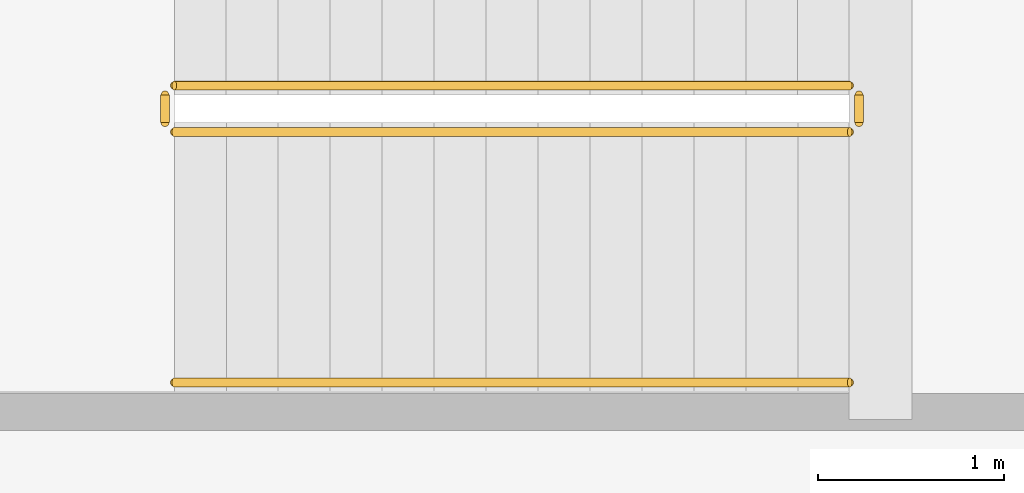
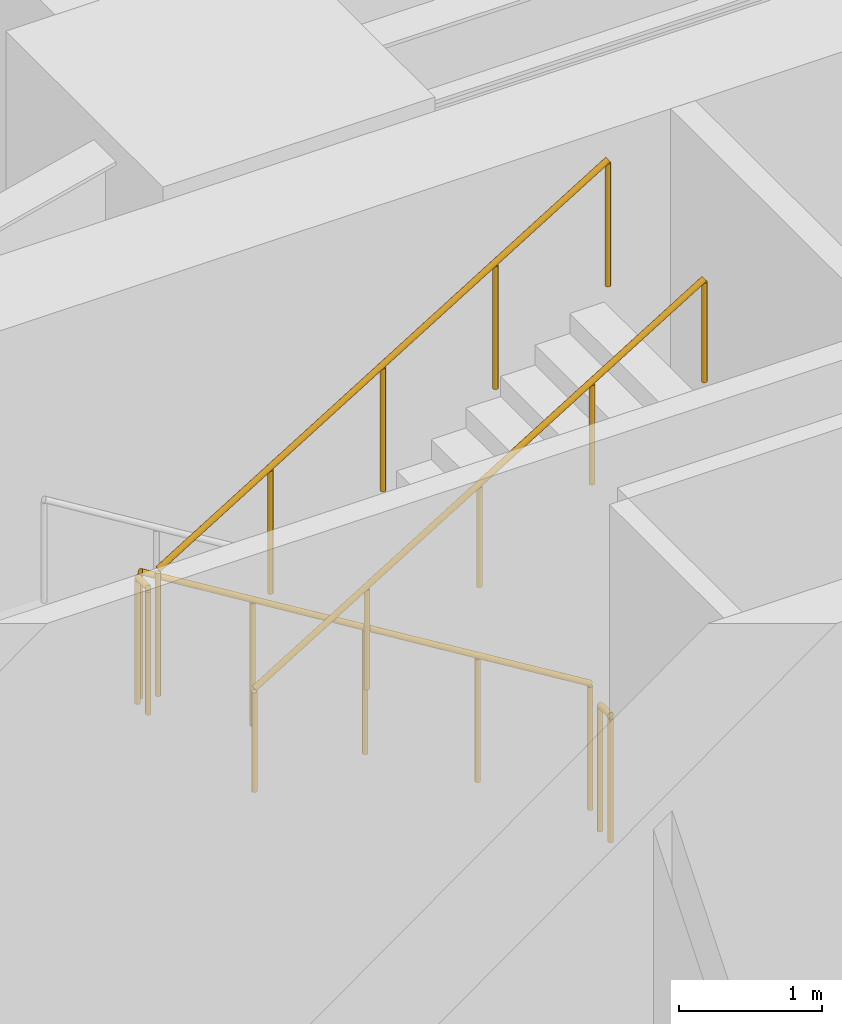
# One storey, part 13 of 14: 5 railings.
"""IFC4 building model written with IfcOpenShell, lengths in metres."""

import ifcopenshell
import ifcopenshell.guid

model = None  # the IFC model being written
_history = None  # IfcOwnerHistory: only IFC2X3 demands one
_inside = {}  # id of a spatial element -> (the spatial element, [elements in it])
_under = {}  # id of a project, library or spatial element -> (it, [spatial elements below it])
_declared = {}  # id of a project -> (the project, [libraries it declares])
_typed = {}  # id of a type object -> (the type object, [elements of that type])
_made_of = {}  # id of a material, layer set ... -> (it, [elements and type objects made of it])


def new_model(schema):
    """Start an empty IFC model of exactly this schema.

    Asked for "IFC4X3", IfcOpenShell would pick the latest addendum, in which some entities
    have other attributes; the version numbers below select the first issue.
    IFC2X3 requires an IfcOwnerHistory on every rooted entity: one is made here for all.
    """
    global model, _history
    if schema == "IFC4X3":
        model = ifcopenshell.file(schema_version=(4, 3, 0, 0))
    else:
        model = ifcopenshell.file(schema=schema)
    _inside.clear()
    _under.clear()
    _declared.clear()
    _typed.clear()
    _made_of.clear()
    _history = None
    if model.schema == "IFC2X3":
        org = make("IfcOrganization", Name="unknown")
        user = make(
            "IfcPersonAndOrganization",
            ThePerson=make("IfcPerson", FamilyName="unknown"),
            TheOrganization=org,
        )
        app = make(
            "IfcApplication",
            ApplicationDeveloper=org,
            Version="unknown",
            ApplicationFullName="unknown",
            ApplicationIdentifier="unknown",
        )
        _history = make(
            "IfcOwnerHistory",
            OwningUser=user,
            OwningApplication=app,
            ChangeAction="ADDED",
            CreationDate=0,
        )
    return model


def make(cls, **values):
    """One entity of the class cls with the attributes given. An attribute that is None is left unset."""
    return model.create_entity(
        cls, **{name: value for name, value in values.items() if value is not None}
    )


def rooted(cls, **values):
    """An entity with a GlobalId (a new one), such as an element, a storey or a relation."""
    return make(cls, GlobalId=ifcopenshell.guid.new(), OwnerHistory=_history, **values)


def si_unit(unit_type, name, prefix=None):
    """IfcSIUnit, for example si_unit("LENGTHUNIT", "METRE", prefix="MILLI")."""
    return make("IfcSIUnit", UnitType=unit_type, Prefix=prefix, Name=name)


def assignment(units):
    """IfcUnitAssignment: the units of a project."""
    return None if units is None else make("IfcUnitAssignment", Units=units)


def point(xyz):
    """IfcCartesianPoint."""
    return None if xyz is None else make("IfcCartesianPoint", Coordinates=xyz)


def direction(xyz):
    """IfcDirection."""
    return None if xyz is None else make("IfcDirection", DirectionRatios=xyz)


def frame(location, z_axis=None, x_axis=None):
    """IfcAxis2Placement3D, a coordinate frame: its origin and axes. An axis left out is left unset."""
    return make(
        "IfcAxis2Placement3D",
        Location=point(location),
        Axis=direction(z_axis),
        RefDirection=direction(x_axis),
    )


def frame_2d(location, x_axis=None):
    """IfcAxis2Placement2D, a coordinate frame in the plane: its origin and x axis."""
    return make(
        "IfcAxis2Placement2D", Location=point(location), RefDirection=direction(x_axis)
    )


def origin():
    """The frame at (0, 0, 0) with its axes left unset."""
    return frame((0.0, 0.0, 0.0))


def origin_2d():
    """The frame at (0, 0) in the plane with its x axis left unset."""
    return frame_2d((0.0, 0.0))


def place(relative_to, where):
    """IfcLocalPlacement: puts the frame where relative to a parent placement (None: the world)."""
    return make(
        "IfcLocalPlacement", PlacementRelTo=relative_to, RelativePlacement=where
    )


def context(
    kind, dimensions, precision=None, world=None, true_north=None, identifier=None
):
    """IfcGeometricRepresentationContext, for example the 3D "Model" context."""
    return make(
        "IfcGeometricRepresentationContext",
        ContextIdentifier=identifier,
        ContextType=kind,
        CoordinateSpaceDimension=dimensions,
        Precision=precision,
        WorldCoordinateSystem=world,
        TrueNorth=true_north,
    )


def subcontext(parent, identifier, kind, view, scale=None):
    """IfcGeometricRepresentationSubContext, for example "Body" below "Model"."""
    return make(
        "IfcGeometricRepresentationSubContext",
        ContextIdentifier=identifier,
        ContextType=kind,
        ParentContext=parent,
        TargetScale=scale,
        TargetView=view,
    )


def project(units=None, contexts=None):
    """IfcProject with its units and contexts."""
    return rooted(
        "IfcProject",
        Name="project",
        RepresentationContexts=contexts,
        UnitsInContext=assignment(units),
    )


def spatial(cls, under=None, at=None, **own):
    """A site, building, storey or space (cls), placed at a placement, below another one or the project."""
    s = rooted(cls, ObjectPlacement=at, **own)
    if under is not None:
        _under.setdefault(under.id(), (under, []))[1].append(s)
    return s


def profile(cls, at=None, kind="AREA", **sizes):
    """A parametric profile (cls). Its sizes go by their IFC names, for example OverallWidth=200.0."""
    return make(cls, ProfileType=kind, Position=at, **sizes)


def circle(**sizes):
    """IfcCircleProfileDef."""
    return profile("IfcCircleProfileDef", **sizes)


def extrude(swept, where, along, depth):
    """IfcExtrudedAreaSolid: the profile swept, set in the frame where, extruded along a direction by depth."""
    return make(
        "IfcExtrudedAreaSolid",
        SweptArea=swept,
        Position=where,
        ExtrudedDirection=direction(along),
        Depth=depth,
    )


def shape(context_of_items, identifier, shape_type, items):
    """IfcShapeRepresentation: the items that make up one representation, for example the "Body"."""
    return make(
        "IfcShapeRepresentation",
        ContextOfItems=context_of_items,
        RepresentationIdentifier=identifier,
        RepresentationType=shape_type,
        Items=items,
    )


def material(Name=None, Category=None):
    """IfcMaterial."""
    return make("IfcMaterial", Name=Name, Category=Category)


def made_of(thing, what):
    """Note that an element or type object is made of a material, layer set ...; save() writes the relation."""
    if what is not None:
        _made_of.setdefault(what.id(), (what, []))[1].append(thing)
    return thing


def type_object(cls, material=None, **own):
    """A type object (cls), such as IfcWallType, which elements share."""
    return made_of(rooted(cls, **own), material)


def element(
    cls,
    number,
    at=None,
    inside=None,
    cuts=None,
    type_object=None,
    material=None,
    context=None,
    identifier="Body",
    shape_type=None,
    held_by="IfcProductDefinitionShape",
    body=None,
    shapes=None,
    **own,
):
    """One element of the class cls, such as IfcWall. Its Tag is "e" and its number.

    at: its placement. inside: the storey or other place that contains it. cuts: it is an
    opening in that element (IfcRelVoidsElement). A single representation is given by context,
    identifier, shape_type and body (its items); several are given by shapes. held_by: the class
    of the entity that holds the representations. save() writes the other relations.
    """
    e = rooted(cls, Tag="e%d" % number, ObjectPlacement=at, **own)
    if body is not None:
        shapes = [shape(context, identifier, shape_type, body)]
    if shapes is not None:
        e.Representation = make(held_by, Representations=shapes)
    if inside is not None:
        _inside.setdefault(inside.id(), (inside, []))[1].append(e)
    if cuts is not None:
        rooted(
            "IfcRelVoidsElement", RelatingBuildingElement=cuts, RelatedOpeningElement=e
        )
    if type_object is not None:
        _typed.setdefault(type_object.id(), (type_object, []))[1].append(e)
    return made_of(e, material)


def aggregate(whole, parts):
    """IfcRelAggregates: a whole, such as a stair, and the parts it consists of."""
    return rooted("IfcRelAggregates", RelatingObject=whole, RelatedObjects=parts)


def save(model, path):
    """Write the relations noted so far, then the file.

    IfcRelAggregates (storeys below a building ...), IfcRelContainedInSpatialStructure (elements
    in a storey), IfcRelDefinesByType, IfcRelAssociatesMaterial and IfcRelDeclares: one each for
    every whole, place, type object, material and project.
    """
    for whole, parts in _under.values():
        aggregate(whole, parts)
    for where, things in _inside.values():
        rooted(
            "IfcRelContainedInSpatialStructure",
            RelatedElements=things,
            RelatingStructure=where,
        )
    for kind, things in _typed.values():
        rooted("IfcRelDefinesByType", RelatedObjects=things, RelatingType=kind)
    for what, things in _made_of.values():
        rooted("IfcRelAssociatesMaterial", RelatedObjects=things, RelatingMaterial=what)
    for by, libraries in _declared.values():
        rooted("IfcRelDeclares", RelatingContext=by, RelatedDefinitions=libraries)
    model.write(path)


model = new_model("IFC4")

# Units and contexts
model_context = context("Model", 3, precision=1e-05, world=origin(), true_north=direction((0.0, 1.0)))
body_context = subcontext(model_context, "Body", "Model", "MODEL_VIEW")
ifc_project = project(units=[si_unit("LENGTHUNIT", "METRE"), si_unit("AREAUNIT", "SQUARE_METRE"), si_unit("VOLUMEUNIT", "CUBIC_METRE"), si_unit("PLANEANGLEUNIT", "RADIAN"), si_unit("MASSUNIT", "GRAM", prefix="KILO")], contexts=[model_context])

# Site, building, storey
site_placement = place(None, origin())
site = spatial("IfcSite", under=ifc_project, at=site_placement, CompositionType="ELEMENT")
building_placement = place(site_placement, origin())
building = spatial("IfcBuilding", under=site, at=building_placement, Name="Kinhvarn Gate Tower", CompositionType="ELEMENT")
storey_placement = place(building_placement, frame((0.0, 0.0, 93.050048828125)))
storey = spatial("IfcBuildingStorey", under=building, at=storey_placement, Name="L24", CompositionType="ELEMENT", Elevation=93.050048828125)

# Railings
ifc_material = material(Name="Steel S355", Category="steel")
railing_type_1 = type_object("IfcRailingType", Name="RL-ST-GRD", PredefinedType="BALUSTRADE", material=ifc_material)
railing_1_placement = place(storey_placement, frame((12.0, 34.300048828125, 0.17138671875)))
element("IfcRailing", 1, at=railing_1_placement, inside=storey, type_object=railing_type_1, Name="L24 ST2 stair guard 1", PredefinedType="BALUSTRADE", context=body_context, shape_type="SweptSolid", body=[
    extrude(circle(Radius=0.02392578125, at=origin_2d()), frame((0.0, 0.0, 1.076171875), z_axis=(-0.852850264322, 0.0, 0.5221555579), x_axis=(0.0, -1.0, 0.0)), (0.0, 0.0, 1.0), 4.267822265625),
    extrude(circle(Radius=0.02099609375, at=origin_2d()), origin(), (0.0, 0.0, 1.0), 1.052001953125),
    extrude(circle(Radius=0.02099609375, at=origin_2d()), frame((-0.909912109375, 0.0, 0.55712890625)), (0.0, 0.0, 1.0), 1.052001953125),
    extrude(circle(Radius=0.02099609375, at=origin_2d()), frame((-1.81982421875, 0.0, 1.1142578125)), (0.0, 0.0, 1.0), 1.052001953125),
    extrude(circle(Radius=0.02099609375, at=origin_2d()), frame((-2.72998046875, 0.0, 1.67138671875)), (0.0, 0.0, 1.0), 1.052001953125),
    extrude(circle(Radius=0.02099609375, at=origin_2d()), frame((-3.639892578125, 0.0, 2.228515625)), (0.0, 0.0, 1.0), 1.052001953125),
])
railing_2_placement = place(storey_placement, frame((8.31005859375, 34.25, 2.39990234375)))
element("IfcRailing", 2, at=railing_2_placement, inside=storey, type_object=railing_type_1, Name="L24 ST2 stair guard 2", PredefinedType="BALUSTRADE", context=body_context, shape_type="SweptSolid", body=[
    extrude(circle(Radius=0.02392578125, at=origin_2d()), frame((0.0, 0.0, 1.076171875), z_axis=(0.0, -1.0, 0.0), x_axis=(1.0, 0.0, 0.0)), (0.0, 0.0, 1.0), 0.14990234375),
    extrude(circle(Radius=0.02099609375, at=origin_2d()), origin(), (0.0, 0.0, 1.0), 1.052001953125),
    extrude(circle(Radius=0.02099609375, at=origin_2d()), frame((0.0, -0.14990234375, 0.0)), (0.0, 0.0, 1.0), 1.052001953125),
])
railing_3_placement = place(storey_placement, frame((8.360107421875, 34.050048828125, 2.5712890625)))
element("IfcRailing", 3, at=railing_3_placement, inside=storey, type_object=railing_type_1, Name="L24 ST2 stair guard 3", PredefinedType="BALUSTRADE", context=body_context, shape_type="SweptSolid", body=[
    extrude(circle(Radius=0.02392578125, at=origin_2d()), frame((0.0, 0.0, 1.076171875), z_axis=(0.852824790078, 0.0, 0.522197163366), x_axis=(0.0, 1.0, 0.0)), (0.0, 0.0, 1.0), 4.26806640625),
    extrude(circle(Radius=0.02099609375, at=origin_2d()), origin(), (0.0, 0.0, 1.0), 1.052001953125),
    extrude(circle(Radius=0.02099609375, at=origin_2d()), frame((0.909912109375, 0.0, 0.55712890625)), (0.0, 0.0, 1.0), 1.052001953125),
    extrude(circle(Radius=0.02099609375, at=origin_2d()), frame((1.81982421875, 0.0, 1.1142578125)), (0.0, 0.0, 1.0), 1.052001953125),
    extrude(circle(Radius=0.02099609375, at=origin_2d()), frame((2.72998046875, 0.0, 1.671630859375)), (0.0, 0.0, 1.0), 1.052001953125),
    extrude(circle(Radius=0.02099609375, at=origin_2d()), frame((3.639892578125, 0.0, 2.228759765625)), (0.0, 0.0, 1.0), 1.052001953125),
])
railing_4_placement = place(storey_placement, frame((12.050048828125, 34.25, 0.0)))
element("IfcRailing", 4, at=railing_4_placement, inside=storey, type_object=railing_type_1, Name="L24 ST2 stair guard 4", PredefinedType="BALUSTRADE", context=body_context, shape_type="SweptSolid", body=[
    extrude(circle(Radius=0.02392578125, at=origin_2d()), frame((0.0, 0.0, 1.076171875), z_axis=(0.0, -1.0, 0.0), x_axis=(1.0, 0.0, 0.0)), (0.0, 0.0, 1.0), 0.14990234375),
    extrude(circle(Radius=0.02099609375, at=origin_2d()), origin(), (0.0, 0.0, 1.0), 1.052001953125),
    extrude(circle(Radius=0.02099609375, at=origin_2d()), frame((0.0, -0.14990234375, 0.0)), (0.0, 0.0, 1.0), 1.052001953125),
])
railing_type_2 = type_object("IfcRailingType", Name="RL-ST-HND", PredefinedType="HANDRAIL", material=ifc_material)
railing_5_placement = place(storey_placement, frame((8.360107421875, 32.699951171875, 2.5712890625)))
element("IfcRailing", 5, at=railing_5_placement, inside=storey, type_object=railing_type_2, Name="L24 ST2 stair handrail 2", PredefinedType="HANDRAIL", context=body_context, shape_type="SweptSolid", body=[
    extrude(circle(Radius=0.02392578125, at=origin_2d()), frame((0.0, 0.0, 0.8759765625), z_axis=(0.852824790078, 0.0, 0.522197163366), x_axis=(0.0, 1.0, 0.0)), (0.0, 0.0, 1.0), 4.26806640625),
    extrude(circle(Radius=0.02099609375, at=origin_2d()), origin(), (0.0, 0.0, 1.0), 0.851806640625),
    extrude(circle(Radius=0.02099609375, at=origin_2d()), frame((0.909912109375, 0.0, 0.55712890625)), (0.0, 0.0, 1.0), 0.851806640625),
    extrude(circle(Radius=0.02099609375, at=origin_2d()), frame((1.81982421875, 0.0, 1.1142578125)), (0.0, 0.0, 1.0), 0.851806640625),
    extrude(circle(Radius=0.02099609375, at=origin_2d()), frame((2.72998046875, 0.0, 1.671630859375)), (0.0, 0.0, 1.0), 0.851806640625),
    extrude(circle(Radius=0.02099609375, at=origin_2d()), frame((3.639892578125, 0.0, 2.228759765625)), (0.0, 0.0, 1.0), 0.851806640625),
])

save(model, "model.ifc")
